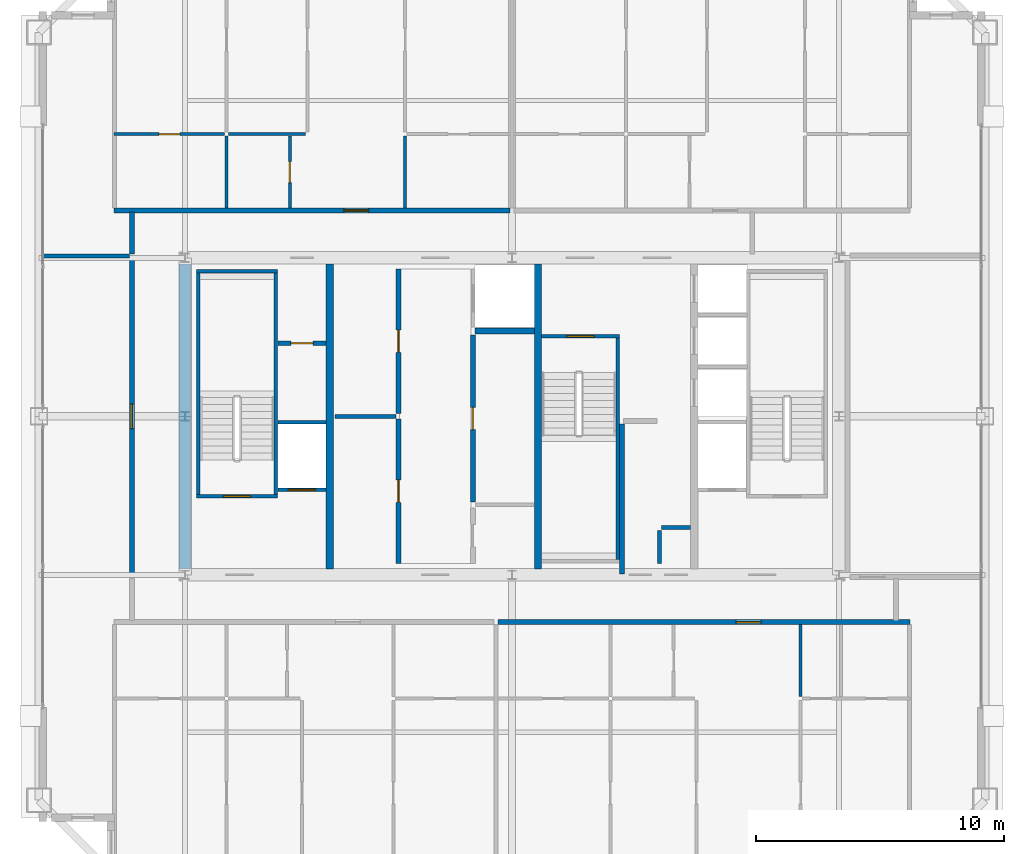
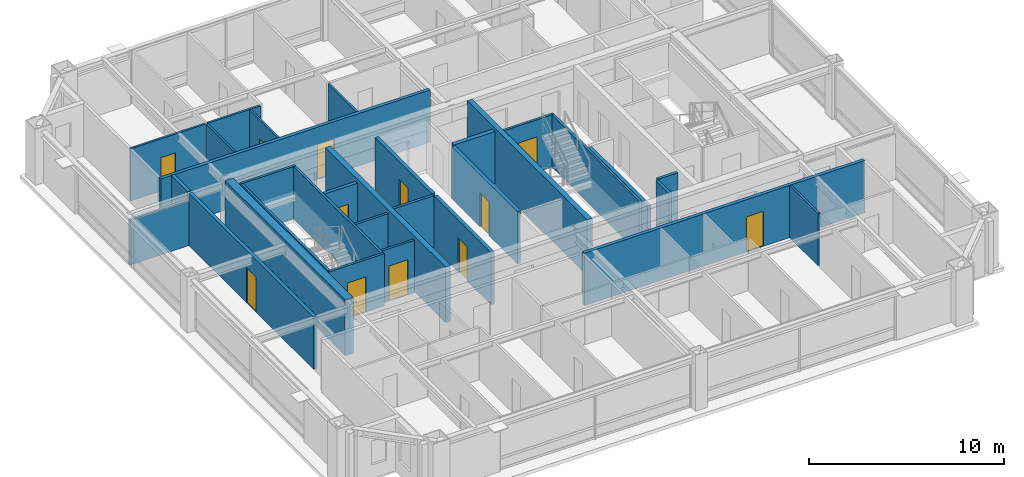
# One storey, part 31 of 35: 31 walls, 12 doors, 12 openings.
"""IFC4 building model written with IfcOpenShell, lengths in metres."""

from ifc_helpers import new_model, si_unit, direction, frame, frame_2d, origin, place, context, subcontext, project, spatial, rectangle, extrude, source, transform, mapped, material, layer, layer_set, type_object, element, fill, save


model = new_model("IFC4")

# Units and contexts
model_context = context("Model", 3, precision=1e-05, world=origin(), true_north=direction((0.0, 1.0)))
body_context = subcontext(model_context, "Body", "Model", "MODEL_VIEW")
ifc_project = project(units=[si_unit("LENGTHUNIT", "METRE"), si_unit("AREAUNIT", "SQUARE_METRE"), si_unit("VOLUMEUNIT", "CUBIC_METRE"), si_unit("PLANEANGLEUNIT", "RADIAN"), si_unit("MASSUNIT", "GRAM", prefix="KILO"), si_unit("THERMODYNAMICTEMPERATUREUNIT", "KELVIN"), si_unit("POWERUNIT", "WATT")], contexts=[model_context])

# Site, building, storey
site_placement = place(None, origin())
site = spatial("IfcSite", under=ifc_project, at=site_placement, CompositionType="ELEMENT")
building_placement = place(site_placement, origin())
building = spatial("IfcBuilding", under=site, at=building_placement, Name="Yuzanri Waterfront Tower", CompositionType="ELEMENT")
storey_placement = place(building_placement, frame((0.0, 0.0, 296.10009765625)))
storey = spatial("IfcBuildingStorey", under=building, at=storey_placement, Name="L79", CompositionType="ELEMENT", Elevation=296.10009765625)

# Wall, opening, door
ifc_material_1 = material(Name="Moisture-Resistant Gypsum Stud Wall", Category="gypsum")
ifc_layer_1 = layer(ifc_material_1, 0.1201171875)
ifc_layer_set_1 = layer_set([ifc_layer_1], Name="Moisture-Resistant Gypsum Stud Wall")
wall_type_1 = type_object("IfcWallType", Name="Bathroom and Kitchen Wet Partition 120", PredefinedType="PARTITIONING", material=ifc_layer_set_1)
wall_1_placement = place(storey_placement, frame((20.93994140625, 37.18994140625, 0.0), z_axis=(0.0, 0.0, 1.0), x_axis=(1.0, 0.0, 0.0)))
wall_1 = element("IfcWall", 1, at=wall_1_placement, inside=storey, type_object=wall_type_1, Name="L79 Partition UW-L79-HN1-SUB-1-N", PredefinedType="PARTITIONING", context=body_context, shape_type="SweptSolid", body=[
    extrude(rectangle(XDim=4.449951171875, YDim=0.1201171875, at=frame_2d((2.22509765625, 0.0))), origin(), (0.0, 0.0, 1.0), 3.27978515625),
])
opening_1_placement = place(wall_1_placement, frame((1.800048828125, 0.0, 0.0)))
opening_1 = element("IfcOpeningElement", 2, at=opening_1_placement, cuts=wall_1, Name="Opening ID-0850", PredefinedType="OPENING", context=body_context, shape_type="SweptSolid", body=[
    extrude(rectangle(XDim=0.85009765625, YDim=2.10009765625, at=frame_2d((0.425048828125, 1.050048828125))), frame((0.0, 0.074951171875, 0.0), z_axis=(0.0, -1.0, 0.0), x_axis=(1.0, 0.0, 0.0)), (0.0, 0.0, 1.0), 0.14990234375),
])
ifc_material_2 = material(Name="Moisture-Resistant Lacquered Timber", Category="wood")
door_type_1 = type_object("IfcDoorType", Name="En-Suite Bathroom and Kitchen Swing Door 850x2100", OperationType="NOTDEFINED", PredefinedType="DOOR", material=ifc_material_2)
shared_shape_1 = source(origin(), body_context, "Body", "SweptSolid", [
    extrude(rectangle(XDim=0.85009765625, YDim=2.10009765625, at=frame_2d((0.425048828125, 1.050048828125))), frame((0.0, 0.02490234375, 0.0), z_axis=(0.0, -1.0, 0.0), x_axis=(1.0, 0.0, 0.0)), (0.0, 0.0, 1.0), 0.050048828125),
])
door_1_placement = place(opening_1_placement, origin())
door_1 = element("IfcDoor", 3, at=door_1_placement, inside=storey, type_object=door_type_1, Name="L79 Suite Interior Room Door", OperationType="SINGLE_SWING_LEFT", OverallHeight=2.10009765625, OverallWidth=0.85009765625, PredefinedType="DOOR", context=body_context, shape_type="MappedRepresentation", body=[
    mapped(shared_shape_1, transform((0.0, 0.0, 0.0), scale=1.0)),
])
fill(opening_1, door_1)

wall_2_placement = place(storey_placement, frame((28.030029296875, 34.2099609375, 0.0), z_axis=(0.0, 0.0, 1.0), x_axis=(0.0, 1.0, 0.0)))
wall_2 = element("IfcWall", 4, at=wall_2_placement, inside=storey, type_object=wall_type_1, Name="L79 Partition UW-L79-HN1-SUB-2-E", PredefinedType="PARTITIONING", context=body_context, shape_type="SweptSolid", body=[
    extrude(rectangle(XDim=2.900146484375, YDim=0.1201171875, at=frame_2d((1.4501953125, 0.0))), origin(), (0.0, 0.0, 1.0), 3.27978515625),
])
opening_2_placement = place(wall_2_placement, frame((1.02490234375, 0.0, 0.0)))
opening_2 = element("IfcOpeningElement", 5, at=opening_2_placement, cuts=wall_2, Name="Opening ID-0850", PredefinedType="OPENING", context=body_context, shape_type="SweptSolid", body=[
    extrude(rectangle(XDim=0.85009765625, YDim=2.10009765625, at=frame_2d((0.425048828125, 1.050048828125))), frame((0.0, 0.074951171875, 0.0), z_axis=(0.0, -1.0, 0.0), x_axis=(1.0, 0.0, 0.0)), (0.0, 0.0, 1.0), 0.14990234375),
])
door_2_placement = place(opening_2_placement, origin())
door_2 = element("IfcDoor", 6, at=door_2_placement, inside=storey, type_object=door_type_1, Name="L79 Suite Interior Room Door", OperationType="SINGLE_SWING_RIGHT", OverallHeight=2.10009765625, OverallWidth=0.85009765625, PredefinedType="DOOR", context=body_context, shape_type="MappedRepresentation", body=[
    mapped(shared_shape_1, transform((0.0, 0.0, 0.0), scale=1.0)),
])
fill(opening_2, door_2)

ifc_material_3 = material(Name="Concrete C40", Category="concrete")
ifc_layer_2 = layer(ifc_material_3, 0.139892578125)
ifc_layer_set_2 = layer_set([ifc_layer_2], Name="Concrete C40")
wall_type_2 = type_object("IfcWallType", Name="Core Stair Liner and Hoistway Shaft Wall 140", PredefinedType="SOLIDWALL", material=ifc_layer_set_2)
wall_3_placement = place(storey_placement, frame((27.56005859375, 22.830078125, 0.0), z_axis=(0.0, 0.0, 1.0), x_axis=(1.0, 0.0, 0.0)))
wall_3 = element("IfcWall", 7, at=wall_3_placement, inside=storey, type_object=wall_type_2, Name="L79 Lift FL-01 Front Shaft Wall", PredefinedType="SOLIDWALL", context=body_context, shape_type="SweptSolid", body=[
    extrude(rectangle(XDim=1.919921875, YDim=0.139892578125, at=frame_2d((0.9599609375, 0.0))), origin(), (0.0, 0.0, 1.0), 3.27978515625),
])
opening_3_placement = place(wall_3_placement, frame((0.409912109375, 0.0, 0.0)))
opening_3 = element("IfcOpeningElement", 8, at=opening_3_placement, cuts=wall_3, Name="Opening LD-FL-01", PredefinedType="OPENING", context=body_context, shape_type="SweptSolid", body=[
    extrude(rectangle(XDim=1.10009765625, YDim=2.199951171875, at=frame_2d((0.550048828125, 1.10009765625))), frame((0.0, 0.0849609375, 0.0), z_axis=(0.0, -1.0, 0.0), x_axis=(1.0, 0.0, 0.0)), (0.0, 0.0, 1.0), 0.169677734375),
])
ifc_material_4 = material(Name="Brushed Bronze and Stainless Steel Cab", Category="steel")
door_type_2 = type_object("IfcDoorType", Name="Center-Parting Bronze Lift Landing Sliding Door 1100x2200", OperationType="NOTDEFINED", PredefinedType="DOOR", material=ifc_material_4)
shared_shape_2 = source(origin(), body_context, "Body", "SweptSolid", [
    extrude(rectangle(XDim=1.10009765625, YDim=2.199951171875, at=frame_2d((0.550048828125, 1.10009765625))), frame((0.0, 0.02490234375, 0.0), z_axis=(0.0, -1.0, 0.0), x_axis=(1.0, 0.0, 0.0)), (0.0, 0.0, 1.0), 0.050048828125),
])
door_3_placement = place(opening_3_placement, origin())
door_3 = element("IfcDoor", 9, at=door_3_placement, inside=storey, type_object=door_type_2, Name="L79 FL-01 Lift Landing Sliding Door", OperationType="SLIDING_TO_LEFT", OverallHeight=2.199951171875, OverallWidth=1.10009765625, PredefinedType="DOOR", context=body_context, shape_type="MappedRepresentation", body=[
    mapped(shared_shape_2, transform((0.0, 0.0, 0.0), scale=1.0)),
])
fill(opening_3, door_3)

wall_4_placement = place(storey_placement, frame((24.260009765625, 22.570068359375, 0.0), z_axis=(0.0, 0.0, 1.0), x_axis=(1.0, 0.0, 0.0)))
wall_4 = element("IfcWall", 10, at=wall_4_placement, inside=storey, type_object=wall_type_2, Name="L79 Shaft Wall STW-L79-ST-01-S", PredefinedType="SOLIDWALL", context=body_context, shape_type="SweptSolid", body=[
    extrude(rectangle(XDim=3.280029296875, YDim=0.139892578125, at=frame_2d((1.64013671875, 0.0))), origin(), (0.0, 0.0, 1.0), 3.27978515625),
])
opening_4_placement = place(wall_4_placement, frame((1.090087890625, 0.0, 0.0)))
opening_4 = element("IfcOpeningElement", 11, at=opening_4_placement, cuts=wall_4, Name="Opening FD-1100", PredefinedType="OPENING", context=body_context, shape_type="SweptSolid", body=[
    extrude(rectangle(XDim=1.10009765625, YDim=2.199951171875, at=frame_2d((0.550048828125, 1.10009765625))), frame((0.0, 0.0849609375, 0.0), z_axis=(0.0, -1.0, 0.0), x_axis=(1.0, 0.0, 0.0)), (0.0, 0.0, 1.0), 0.169677734375),
])
ifc_material_5 = material(Name="Painted Galvanized Fire Steel", Category="steel")
door_type_3 = type_object("IfcDoorType", Name="Smoke-Proof Stair and Lobby Fire Door 1100x2200", OperationType="NOTDEFINED", PredefinedType="DOOR", material=ifc_material_5)
shared_shape_3 = source(origin(), body_context, "Body", "SweptSolid", [
    extrude(rectangle(XDim=1.10009765625, YDim=2.199951171875, at=frame_2d((0.550048828125, 1.10009765625))), frame((0.0, 0.02490234375, 0.0), z_axis=(0.0, -1.0, 0.0), x_axis=(1.0, 0.0, 0.0)), (0.0, 0.0, 1.0), 0.050048828125),
])
door_4_placement = place(opening_4_placement, origin())
door_4 = element("IfcDoor", 12, at=door_4_placement, inside=storey, type_object=door_type_3, Name="L79 Stair ST-01 Fire Door", OperationType="SINGLE_SWING_RIGHT", OverallHeight=2.199951171875, OverallWidth=1.10009765625, PredefinedType="DOOR", context=body_context, shape_type="MappedRepresentation", body=[
    mapped(shared_shape_3, transform((0.0, 0.0, 0.0), scale=1.0)),
])
fill(opening_4, door_4)

wall_5_placement = place(storey_placement, frame((38.199951171875, 29.030029296875, 0.0), z_axis=(0.0, 0.0, 1.0), x_axis=(1.0, 0.0, 0.0)))
wall_5 = element("IfcWall", 13, at=wall_5_placement, inside=storey, type_object=wall_type_2, Name="L79 Shaft Wall STW-L79-ST-03-N", PredefinedType="SOLIDWALL", context=body_context, shape_type="SweptSolid", body=[
    extrude(rectangle(XDim=3.14013671875, YDim=0.139892578125, at=frame_2d((1.570068359375, 0.0))), origin(), (0.0, 0.0, 1.0), 3.27978515625),
])
opening_5_placement = place(wall_5_placement, frame((1.02001953125, 0.0, 0.0)))
opening_5 = element("IfcOpeningElement", 14, at=opening_5_placement, cuts=wall_5, Name="Opening FD-1100", PredefinedType="OPENING", context=body_context, shape_type="SweptSolid", body=[
    extrude(rectangle(XDim=1.10009765625, YDim=2.199951171875, at=frame_2d((0.550048828125, 1.10009765625))), frame((0.0, 0.0849609375, 0.0), z_axis=(0.0, -1.0, 0.0), x_axis=(1.0, 0.0, 0.0)), (0.0, 0.0, 1.0), 0.169677734375),
])
door_5_placement = place(opening_5_placement, origin())
door_5 = element("IfcDoor", 15, at=door_5_placement, inside=storey, type_object=door_type_3, Name="L79 Stair ST-03 Fire Door", OperationType="SINGLE_SWING_RIGHT", OverallHeight=2.199951171875, OverallWidth=1.10009765625, PredefinedType="DOOR", context=body_context, shape_type="MappedRepresentation", body=[
    mapped(shared_shape_3, transform((0.0, 0.0, 0.0), scale=1.0)),
])
fill(opening_5, door_5)

ifc_material_6 = material(Name="Autoclaved Aerated Concrete Blockwork", Category="masonry")
ifc_layer_3 = layer(ifc_material_6, 0.199951171875)
ifc_layer_set_3 = layer_set([ifc_layer_3], Name="Autoclaved Aerated Concrete Blockwork")
wall_type_3 = type_object("IfcWallType", Name="Corridor and Unit Party Fire Wall 200", PredefinedType="PARTITIONING", material=ifc_layer_set_3)
wall_6_placement = place(storey_placement, frame((27.56005859375, 28.75, 0.0), z_axis=(0.0, 0.0, 1.0), x_axis=(1.0, 0.0, 0.0)))
wall_6 = element("IfcWall", 16, at=wall_6_placement, inside=storey, type_object=wall_type_3, Name="L79 Partition CRW-L79-ERTR", PredefinedType="PARTITIONING", context=body_context, shape_type="SweptSolid", body=[
    extrude(rectangle(XDim=1.919921875, YDim=0.199951171875, at=frame_2d((0.9599609375, 0.0))), origin(), (0.0, 0.0, 1.0), 3.27978515625),
])
opening_6_placement = place(wall_6_placement, frame((0.510009765625, 0.0, 0.0)))
opening_6 = element("IfcOpeningElement", 17, at=opening_6_placement, cuts=wall_6, Name="Opening FD-0900", PredefinedType="OPENING", context=body_context, shape_type="SweptSolid", body=[
    extrude(rectangle(XDim=0.89990234375, YDim=2.14990234375, at=frame_2d((0.449951171875, 1.074951171875))), frame((0.0, 0.11474609375, 0.0), z_axis=(0.0, -1.0, 0.0), x_axis=(1.0, 0.0, 0.0)), (0.0, 0.0, 1.0), 0.229736328125),
])
ifc_material_7 = material(Name="Painted Galvanized Fire Steel", Category="steel")
door_type_4 = type_object("IfcDoorType", Name="Riser and Service Room Fire Door 900x2150", OperationType="NOTDEFINED", PredefinedType="DOOR", material=ifc_material_7)
shared_shape_4 = source(origin(), body_context, "Body", "SweptSolid", [
    extrude(rectangle(XDim=0.89990234375, YDim=2.14990234375, at=frame_2d((0.449951171875, 1.074951171875))), frame((0.0, 0.02490234375, 0.0), z_axis=(0.0, -1.0, 0.0), x_axis=(1.0, 0.0, 0.0)), (0.0, 0.0, 1.0), 0.050048828125),
])
door_6_placement = place(opening_6_placement, origin())
door_6 = element("IfcDoor", 18, at=door_6_placement, inside=storey, type_object=door_type_4, Name="L79 Electrical Riser Door", OperationType="SINGLE_SWING_RIGHT", OverallHeight=2.14990234375, OverallWidth=0.89990234375, PredefinedType="DOOR", context=body_context, shape_type="MappedRepresentation", body=[
    mapped(shared_shape_4, transform((0.0, 0.0, 0.0), scale=1.0)),
])
fill(opening_6, door_6)

wall_7_placement = place(storey_placement, frame((32.419921875, 19.860107421875, 0.0), z_axis=(0.0, 0.0, 1.0), x_axis=(0.0, 1.0, 0.0)))
wall_7 = element("IfcWall", 19, at=wall_7_placement, inside=storey, type_object=wall_type_3, Name="L79 Partition CRW-L79-B1R-1", PredefinedType="PARTITIONING", context=body_context, shape_type="SweptSolid", body=[
    extrude(rectangle(XDim=5.83984375, YDim=0.199951171875, at=frame_2d((2.919921875, 0.0))), origin(), (0.0, 0.0, 1.0), 3.27978515625),
])
opening_7_placement = place(wall_7_placement, frame((2.469970703125, 0.0, 0.0)))
opening_7 = element("IfcOpeningElement", 20, at=opening_7_placement, cuts=wall_7, Name="Opening FD-0900", PredefinedType="OPENING", context=body_context, shape_type="SweptSolid", body=[
    extrude(rectangle(XDim=0.89990234375, YDim=2.14990234375, at=frame_2d((0.449951171875, 1.074951171875))), frame((0.0, 0.11474609375, 0.0), z_axis=(0.0, -1.0, 0.0), x_axis=(1.0, 0.0, 0.0)), (0.0, 0.0, 1.0), 0.229736328125),
])
door_7_placement = place(opening_7_placement, origin())
door_7 = element("IfcDoor", 21, at=door_7_placement, inside=storey, type_object=door_type_4, Name="L79 South Private Store Room", OperationType="SINGLE_SWING_LEFT", OverallHeight=2.14990234375, OverallWidth=0.89990234375, PredefinedType="DOOR", context=body_context, shape_type="MappedRepresentation", body=[
    mapped(shared_shape_4, transform((0.0, 0.0, 0.0), scale=1.0)),
])
fill(opening_7, door_7)

wall_8_placement = place(storey_placement, frame((32.419921875, 25.919921875, 0.0), z_axis=(0.0, 0.0, 1.0), x_axis=(0.0, 1.0, 0.0)))
wall_8 = element("IfcWall", 22, at=wall_8_placement, inside=storey, type_object=wall_type_3, Name="L79 Partition CRW-L79-B1R-2", PredefinedType="PARTITIONING", context=body_context, shape_type="SweptSolid", body=[
    extrude(rectangle(XDim=5.820068359375, YDim=0.199951171875, at=frame_2d((2.91015625, 0.0))), origin(), (0.0, 0.0, 1.0), 3.27978515625),
])
opening_8_placement = place(wall_8_placement, frame((2.4599609375, 0.0, 0.0)))
opening_8 = element("IfcOpeningElement", 23, at=opening_8_placement, cuts=wall_8, Name="Opening FD-0900", PredefinedType="OPENING", context=body_context, shape_type="SweptSolid", body=[
    extrude(rectangle(XDim=0.89990234375, YDim=2.14990234375, at=frame_2d((0.449951171875, 1.074951171875))), frame((0.0, 0.11474609375, 0.0), z_axis=(0.0, -1.0, 0.0), x_axis=(1.0, 0.0, 0.0)), (0.0, 0.0, 1.0), 0.229736328125),
])
door_8_placement = place(opening_8_placement, origin())
door_8 = element("IfcDoor", 24, at=door_8_placement, inside=storey, type_object=door_type_4, Name="L79 North Private Store Room", OperationType="SINGLE_SWING_RIGHT", OverallHeight=2.14990234375, OverallWidth=0.89990234375, PredefinedType="DOOR", context=body_context, shape_type="MappedRepresentation", body=[
    mapped(shared_shape_4, transform((0.0, 0.0, 0.0), scale=1.0)),
])
fill(opening_8, door_8)

wall_9_placement = place(storey_placement, frame((35.419921875, 22.35009765625, 0.0), z_axis=(0.0, 0.0, 1.0), x_axis=(0.0, 1.0, 0.0)))
wall_9 = element("IfcWall", 25, at=wall_9_placement, inside=storey, type_object=wall_type_3, Name="L79 Partition CRW-L79-B2R-2", PredefinedType="PARTITIONING", context=body_context, shape_type="SweptSolid", body=[
    extrude(rectangle(XDim=6.72998046875, YDim=0.199951171875, at=frame_2d((3.364990234375, 0.0))), origin(), (0.0, 0.0, 1.0), 3.27978515625),
])
opening_9_placement = place(wall_9_placement, frame((2.9150390625, 0.0, 0.0)))
opening_9 = element("IfcOpeningElement", 26, at=opening_9_placement, cuts=wall_9, Name="Opening FD-0900", PredefinedType="OPENING", context=body_context, shape_type="SweptSolid", body=[
    extrude(rectangle(XDim=0.89990234375, YDim=2.14990234375, at=frame_2d((0.449951171875, 1.074951171875))), frame((0.0, 0.11474609375, 0.0), z_axis=(0.0, -1.0, 0.0), x_axis=(1.0, 0.0, 0.0)), (0.0, 0.0, 1.0), 0.229736328125),
])
door_9_placement = place(opening_9_placement, origin())
door_9 = element("IfcDoor", 27, at=door_9_placement, inside=storey, type_object=door_type_4, Name="L79 Upper Linen Store Room", OperationType="SINGLE_SWING_RIGHT", OverallHeight=2.14990234375, OverallWidth=0.89990234375, PredefinedType="DOOR", context=body_context, shape_type="MappedRepresentation", body=[
    mapped(shared_shape_4, transform((0.0, 0.0, 0.0), scale=1.0)),
])
fill(opening_9, door_9)

wall_10_placement = place(storey_placement, frame((36.43798828125, 17.489990234375, 0.0), z_axis=(0.0, 0.0, 1.0), x_axis=(1.0, 0.0, 0.0)))
wall_10 = element("IfcWall", 28, at=wall_10_placement, inside=storey, type_object=wall_type_3, Name="L79 Partition UW-L79-HS2-CN", PredefinedType="PARTITIONING", context=body_context, shape_type="SweptSolid", body=[
    extrude(rectangle(XDim=16.6220703125, YDim=0.199951171875, at=frame_2d((8.31103515625, 0.0))), origin(), (0.0, 0.0, 1.0), 3.27978515625),
])
opening_10_placement = place(wall_10_placement, frame((9.611083984375, 0.0, 0.0)))
opening_10 = element("IfcOpeningElement", 29, at=opening_10_placement, cuts=wall_10, Name="Opening FD-1000", PredefinedType="OPENING", context=body_context, shape_type="SweptSolid", body=[
    extrude(rectangle(XDim=1.0, YDim=2.199951171875, at=frame_2d((0.5, 1.10009765625))), frame((0.0, 0.11474609375, 0.0), z_axis=(0.0, -1.0, 0.0), x_axis=(1.0, 0.0, 0.0)), (0.0, 0.0, 1.0), 0.229736328125),
])
ifc_material_8 = material(Name="Engineered Oak Fire-Rated Timber", Category="wood")
door_type_5 = type_object("IfcDoorType", Name="Guestroom and Apartment Entrance Fire Door 1000x2200", OperationType="NOTDEFINED", PredefinedType="DOOR", material=ifc_material_8)
shared_shape_5 = source(origin(), body_context, "Body", "SweptSolid", [
    extrude(rectangle(XDim=1.0, YDim=2.199951171875, at=frame_2d((0.5, 1.10009765625))), frame((0.0, 0.02490234375, 0.0), z_axis=(0.0, -1.0, 0.0), x_axis=(1.0, 0.0, 0.0)), (0.0, 0.0, 1.0), 0.050048828125),
])
door_10_placement = place(opening_10_placement, origin())
door_10 = element("IfcDoor", 30, at=door_10_placement, inside=storey, type_object=door_type_5, Name="L79 Apartment Living and Dining Salon Entrance Door", OperationType="SINGLE_SWING_RIGHT", OverallHeight=2.199951171875, OverallWidth=1.0, PredefinedType="DOOR", context=body_context, shape_type="MappedRepresentation", body=[
    mapped(shared_shape_5, transform((0.0, 0.0, 0.0), scale=1.0)),
])
fill(opening_10, door_10)

wall_11_placement = place(storey_placement, frame((20.93994140625, 34.110107421875, 0.0), z_axis=(0.0, 0.0, 1.0), x_axis=(1.0, 0.0, 0.0)))
wall_11 = element("IfcWall", 31, at=wall_11_placement, inside=storey, type_object=wall_type_3, Name="L79 Partition UW-L79-HN1-CS", PredefinedType="PARTITIONING", context=body_context, shape_type="SweptSolid", body=[
    extrude(rectangle(XDim=15.97998046875, YDim=0.199951171875, at=frame_2d((7.989990234375, 0.0))), origin(), (0.0, 0.0, 1.0), 3.27978515625),
])
opening_11_placement = place(wall_11_placement, frame((9.26904296875, 0.0, 0.0)))
opening_11 = element("IfcOpeningElement", 32, at=opening_11_placement, cuts=wall_11, Name="Opening FD-1000", PredefinedType="OPENING", context=body_context, shape_type="SweptSolid", body=[
    extrude(rectangle(XDim=1.0, YDim=2.199951171875, at=frame_2d((0.5, 1.10009765625))), frame((0.0, 0.11474609375, 0.0), z_axis=(0.0, -1.0, 0.0), x_axis=(1.0, 0.0, 0.0)), (0.0, 0.0, 1.0), 0.229736328125),
])
door_11_placement = place(opening_11_placement, origin())
door_11 = element("IfcDoor", 33, at=door_11_placement, inside=storey, type_object=door_type_5, Name="L79 Apartment Living and Dining Salon Entrance Door", OperationType="SINGLE_SWING_RIGHT", OverallHeight=2.199951171875, OverallWidth=1.0, PredefinedType="DOOR", context=body_context, shape_type="MappedRepresentation", body=[
    mapped(shared_shape_5, transform((0.0, 0.0, 0.0), scale=1.0)),
])
fill(opening_11, door_11)

wall_12_placement = place(storey_placement, frame((21.64990234375, 19.409912109375, 0.0), z_axis=(0.0, 0.0, 1.0), x_axis=(0.0, 1.0, 0.0)))
wall_12 = element("IfcWall", 34, at=wall_12_placement, inside=storey, type_object=wall_type_3, Name="L79 Partition UW-L79-049-CW", PredefinedType="PARTITIONING", context=body_context, shape_type="SweptSolid", body=[
    extrude(rectangle(XDim=12.780029296875, YDim=0.199951171875, at=frame_2d((6.39013671875, 0.0))), origin(), (0.0, 0.0, 1.0), 3.27978515625),
])
opening_12_placement = place(wall_12_placement, frame((5.889892578125, 0.0, 0.0)))
opening_12 = element("IfcOpeningElement", 35, at=opening_12_placement, cuts=wall_12, Name="Opening FD-1000", PredefinedType="OPENING", context=body_context, shape_type="SweptSolid", body=[
    extrude(rectangle(XDim=1.0, YDim=2.199951171875, at=frame_2d((0.5, 1.10009765625))), frame((0.0, 0.11474609375, 0.0), z_axis=(0.0, -1.0, 0.0), x_axis=(1.0, 0.0, 0.0)), (0.0, 0.0, 1.0), 0.229736328125),
])
door_12_placement = place(opening_12_placement, origin())
door_12 = element("IfcDoor", 36, at=door_12_placement, inside=storey, type_object=door_type_5, Name="L79 High-Rise W Wellness Gym Studio Entrance Door", OperationType="SINGLE_SWING_RIGHT", OverallHeight=2.199951171875, OverallWidth=1.0, PredefinedType="DOOR", context=body_context, shape_type="MappedRepresentation", body=[
    mapped(shared_shape_5, transform((0.0, 0.0, 0.0), scale=1.0)),
])
fill(opening_12, door_12)

# Walls
ifc_material_9 = material(Name="Concrete C45", Category="concrete")
ifc_layer_4 = layer(ifc_material_9, 0.47998046875)
ifc_layer_set_4 = layer_set([ifc_layer_4], Name="Concrete C45")
wall_type_4 = type_object("IfcWallType", Name="Concrete C45 High-Rise Core Shear Wall 480", PredefinedType="SHEAR", material=ifc_layer_set_4)
shared_shape_6 = source(origin(), body_context, "Body", "SweptSolid", [
    extrude(rectangle(XDim=12.320068359375, YDim=0.47998046875, at=frame_2d((6.16015625, 0.0))), origin(), (0.0, 0.0, 1.0), 3.5),
])
wall_13_placement = place(storey_placement, frame((23.800048828125, 19.639892578125, 0.0), z_axis=(0.0, 0.0, 1.0), x_axis=(0.0, 1.0, 0.0)))
element("IfcWall", 37, at=wall_13_placement, inside=storey, type_object=wall_type_4, Name="L79 Core West Shear Wall", PredefinedType="SHEAR", context=body_context, shape_type="MappedRepresentation", body=[
    mapped(shared_shape_6, transform((0.0, 0.0, 0.0), scale=1.0)),
])
ifc_material_10 = material(Name="Concrete C50", Category="concrete")
ifc_layer_5 = layer(ifc_material_10, 0.300048828125)
ifc_layer_set_5 = layer_set([ifc_layer_5], Name="Concrete C50")
wall_type_5 = type_object("IfcWallType", Name="Concrete C50 Internal Core Shaft Structural Wall 300", PredefinedType="SOLIDWALL", material=ifc_layer_set_5)
shared_shape_7 = source(origin(), body_context, "Body", "SweptSolid", [
    extrude(rectangle(XDim=12.320068359375, YDim=0.300048828125, at=frame_2d((6.16015625, 0.0))), origin(), (0.0, 0.0, 1.0), 3.5),
])
for number, where, z_axis, x_axis, name in (
    (38, (29.64990234375, 19.639892578125, 0.0), (0.0, 0.0, 1.0), (0.0, 1.0, 0.0), "L79 Core Internal Structural Web Wall 1"),
    (39, (38.050048828125, 19.639892578125, 0.0), (0.0, 0.0, 1.0), (0.0, 1.0, 0.0), "L79 Core Internal Structural Web Wall 2"),
):
    element("IfcWall", number, at=place(storey_placement, frame(where, z_axis=z_axis, x_axis=x_axis)), inside=storey, type_object=wall_type_5, Name=name, PredefinedType="SOLIDWALL", context=body_context, shape_type="MappedRepresentation", body=[
        mapped(shared_shape_7, transform((0.0, 0.0, 0.0), scale=1.0)),
    ])
shared_shape_8 = source(origin(), body_context, "Body", "SweptSolid", [
    extrude(rectangle(XDim=1.919921875, YDim=0.139892578125, at=frame_2d((0.9599609375, 0.0))), origin(), (0.0, 0.0, 1.0), 3.27978515625),
])
wall_14_placement = place(storey_placement, frame((27.56005859375, 25.570068359375, 0.0), z_axis=(0.0, 0.0, 1.0), x_axis=(1.0, 0.0, 0.0)))
element("IfcWall", 40, at=wall_14_placement, inside=storey, type_object=wall_type_2, Name="L79 Lift FL-01 Back Shaft Wall", PredefinedType="SOLIDWALL", context=body_context, shape_type="MappedRepresentation", body=[
    mapped(shared_shape_8, transform((0.0, 0.0, 0.0), scale=1.0)),
])
ifc_material_11 = material(Name="Concrete C40", Category="concrete")
ifc_layer_6 = layer(ifc_material_11, 0.25)
ifc_layer_set_6 = layer_set([ifc_layer_6], Name="Concrete C40")
wall_type_6 = type_object("IfcWallType", Name="Smoke-Proof Stair and Lift Shaft Wall 250", PredefinedType="SOLIDWALL", material=ifc_layer_set_6)
shared_shape_9 = source(origin(), body_context, "Body", "SweptSolid", [
    extrude(rectangle(XDim=2.39990234375, YDim=0.25, at=frame_2d((1.199951171875, 0.0))), origin(), (0.0, 0.0, 1.0), 3.27978515625),
])
wall_15_placement = place(storey_placement, frame((35.5, 29.25, 0.0), z_axis=(0.0, 0.0, 1.0), x_axis=(1.0, 0.0, 0.0)))
element("IfcWall", 41, at=wall_15_placement, inside=storey, type_object=wall_type_6, Name="L79 Lift SL-02 South Shaft Wall", PredefinedType="SOLIDWALL", context=body_context, shape_type="MappedRepresentation", body=[
    mapped(shared_shape_9, transform((0.0, 0.0, 0.0), scale=1.0)),
])
shared_shape_10 = source(origin(), body_context, "Body", "SweptSolid", [
    extrude(rectangle(XDim=3.280029296875, YDim=0.139892578125, at=frame_2d((1.64013671875, 0.0))), origin(), (0.0, 0.0, 1.0), 3.27978515625),
])
wall_16_placement = place(storey_placement, frame((24.260009765625, 31.64990234375, 0.0), z_axis=(0.0, 0.0, 1.0), x_axis=(1.0, 0.0, 0.0)))
element("IfcWall", 42, at=wall_16_placement, inside=storey, type_object=wall_type_2, Name="L79 Stair ST-01 North Shaft Wall", PredefinedType="SOLIDWALL", context=body_context, shape_type="MappedRepresentation", body=[
    mapped(shared_shape_10, transform((0.0, 0.0, 0.0), scale=1.0)),
])
shared_shape_11 = source(origin(), body_context, "Body", "SweptSolid", [
    extrude(rectangle(XDim=8.940185546875, YDim=0.139892578125, at=frame_2d((4.47021484375, 0.0))), origin(), (0.0, 0.0, 1.0), 3.27978515625),
])
for number, where, z_axis, x_axis, name in (
    (43, (24.330078125, 22.639892578125, 0.0), (0.0, 0.0, 1.0), (0.0, 1.0, 0.0), "L79 Stair ST-01 West Shaft Wall"),
    (44, (27.469970703125, 22.639892578125, 0.0), (0.0, 0.0, 1.0), (0.0, 1.0, 0.0), "L79 Stair ST-01 East Shaft Wall"),
):
    element("IfcWall", number, at=place(storey_placement, frame(where, z_axis=z_axis, x_axis=x_axis)), inside=storey, type_object=wall_type_2, Name=name, PredefinedType="SOLIDWALL", context=body_context, shape_type="MappedRepresentation", body=[
        mapped(shared_shape_11, transform((0.0, 0.0, 0.0), scale=1.0)),
    ])
shared_shape_12 = source(origin(), body_context, "Body", "SweptSolid", [
    extrude(rectangle(XDim=8.93994140625, YDim=0.139892578125, at=frame_2d((4.469970703125, 0.0))), origin(), (0.0, 0.0, 1.0), 3.27978515625),
])
wall_17_placement = place(storey_placement, frame((41.27001953125, 20.02001953125, 0.0), z_axis=(0.0, 0.0, 1.0), x_axis=(0.0, 1.0, 0.0)))
element("IfcWall", 45, at=wall_17_placement, inside=storey, type_object=wall_type_2, Name="L79 Stair ST-03 East Shaft Wall", PredefinedType="SOLIDWALL", context=body_context, shape_type="MappedRepresentation", body=[
    mapped(shared_shape_12, transform((0.0, 0.0, 0.0), scale=1.0)),
])
ifc_material_12 = material(Name="Gypsum Fireboard Acoustic Stud Wall", Category="gypsum")
ifc_layer_7 = layer(ifc_material_12, 0.159912109375)
ifc_layer_set_7 = layer_set([ifc_layer_7], Name="Gypsum Fireboard Acoustic Stud Wall")
wall_type_7 = type_object("IfcWallType", Name="Acoustic Suite Demising Partition 160", PredefinedType="PARTITIONING", material=ifc_layer_set_7)
shared_shape_13 = source(origin(), body_context, "Body", "SweptSolid", [
    extrude(rectangle(XDim=2.469970703125, YDim=0.159912109375, at=frame_2d((1.23486328125, 0.0))), origin(), (0.0, 0.0, 1.0), 3.27978515625),
])
wall_18_placement = place(storey_placement, frame((29.85009765625, 25.800048828125, 0.0), z_axis=(0.0, 0.0, 1.0), x_axis=(1.0, 0.0, 0.0)))
element("IfcWall", 46, at=wall_18_placement, inside=storey, type_object=wall_type_7, Name="L79 Reclaimed Core Divider 2", PredefinedType="PARTITIONING", context=body_context, shape_type="MappedRepresentation", body=[
    mapped(shared_shape_13, transform((0.0, 0.0, 0.0), scale=1.0)),
])
shared_shape_14 = source(origin(), body_context, "Body", "SweptSolid", [
    extrude(rectangle(XDim=1.33984375, YDim=0.159912109375, at=frame_2d((0.669921875, 0.0))), origin(), (0.0, 0.0, 1.0), 3.27978515625),
])
wall_19_placement = place(storey_placement, frame((42.949951171875, 19.860107421875, 0.0), z_axis=(0.0, 0.0, 1.0), x_axis=(0.0, 1.0, 0.0)))
element("IfcWall", 47, at=wall_19_placement, inside=storey, type_object=wall_type_7, Name="L79 East Wet Riser West Wall", PredefinedType="PARTITIONING", context=body_context, shape_type="MappedRepresentation", body=[
    mapped(shared_shape_14, transform((0.0, 0.0, 0.0), scale=1.0)),
])
shared_shape_15 = source(origin(), body_context, "Body", "SweptSolid", [
    extrude(rectangle(XDim=1.169921875, YDim=0.159912109375, at=frame_2d((0.5849609375, 0.0))), origin(), (0.0, 0.0, 1.0), 3.27978515625),
])
wall_20_placement = place(storey_placement, frame((43.030029296875, 21.320068359375, 0.0), z_axis=(0.0, 0.0, 1.0), x_axis=(1.0, 0.0, 0.0)))
element("IfcWall", 48, at=wall_20_placement, inside=storey, type_object=wall_type_7, Name="L79 East Wet Riser North Wall", PredefinedType="PARTITIONING", context=body_context, shape_type="MappedRepresentation", body=[
    mapped(shared_shape_15, transform((0.0, 0.0, 0.0), scale=1.0)),
])
shared_shape_16 = source(origin(), body_context, "Body", "SweptSolid", [
    extrude(rectangle(XDim=6.06005859375, YDim=0.199951171875, at=frame_2d((3.030029296875, 0.0))), origin(), (0.0, 0.0, 1.0), 3.27978515625),
])
wall_21_placement = place(storey_placement, frame((41.449951171875, 19.43994140625, 0.0), z_axis=(0.0, 0.0, 1.0), x_axis=(0.0, 1.0, 0.0)))
element("IfcWall", 49, at=wall_21_placement, inside=storey, type_object=wall_type_3, Name="L79 Core BOH West Wall 1", PredefinedType="PARTITIONING", context=body_context, shape_type="MappedRepresentation", body=[
    mapped(shared_shape_16, transform((0.0, 0.0, 0.0), scale=1.0)),
])
shared_shape_17 = source(origin(), body_context, "Body", "SweptSolid", [
    extrude(rectangle(XDim=1.699951171875, YDim=0.199951171875, at=frame_2d((0.85009765625, 0.0))), origin(), (0.0, 0.0, 1.0), 3.27978515625),
])
wall_22_placement = place(storey_placement, frame((21.64990234375, 32.35009765625, 0.0), z_axis=(0.0, 0.0, 1.0), x_axis=(0.0, 1.0, 0.0)))
element("IfcWall", 50, at=wall_22_placement, inside=storey, type_object=wall_type_3, Name="L79 North Foyer West End Wall", PredefinedType="PARTITIONING", context=body_context, shape_type="MappedRepresentation", body=[
    mapped(shared_shape_17, transform((0.0, 0.0, 0.0), scale=1.0)),
])
shared_shape_18 = source(origin(), body_context, "Body", "SweptSolid", [
    extrude(rectangle(XDim=2.89990234375, YDim=0.1201171875, at=frame_2d((1.449951171875, 0.0))), origin(), (0.0, 0.0, 1.0), 3.27978515625),
])
wall_23_placement = place(storey_placement, frame((48.657958984375, 14.489990234375, 0.0), z_axis=(0.0, 0.0, 1.0), x_axis=(0.0, 1.0, 0.0)))
element("IfcWall", 51, at=wall_23_placement, inside=storey, type_object=wall_type_1, Name="L79 Partition UW-L79-HS2-SUB-4-W", PredefinedType="PARTITIONING", context=body_context, shape_type="MappedRepresentation", body=[
    mapped(shared_shape_18, transform((0.0, 0.0, 0.0), scale=1.0)),
])
shared_shape_19 = source(origin(), body_context, "Body", "SweptSolid", [
    extrude(rectangle(XDim=2.900146484375, YDim=0.1201171875, at=frame_2d((1.4501953125, 0.0))), origin(), (0.0, 0.0, 1.0), 3.27978515625),
])
for number, where, z_axis, x_axis, name in (
    (52, (25.469970703125, 34.2099609375, 0.0), (0.0, 0.0, 1.0), (0.0, 1.0, 0.0), "L79 Partition UW-L79-HN1-SUB-1-E"),
    (53, (32.68505859375, 34.2099609375, 0.0), (0.0, 0.0, 1.0), (0.0, 1.0, 0.0), "L79 Partition UW-L79-HN1-SUB-3-W"),
):
    element("IfcWall", number, at=place(storey_placement, frame(where, z_axis=z_axis, x_axis=x_axis)), inside=storey, type_object=wall_type_1, Name=name, PredefinedType="PARTITIONING", context=body_context, shape_type="MappedRepresentation", body=[
        mapped(shared_shape_19, transform((0.0, 0.0, 0.0), scale=1.0)),
    ])
shared_shape_20 = source(origin(), body_context, "Body", "SweptSolid", [
    extrude(rectangle(XDim=3.5, YDim=0.159912109375, at=frame_2d((1.75, 0.0))), origin(), (0.0, 0.0, 1.0), 2.824951171875),
])
wall_24_placement = place(storey_placement, frame((18.050048828125, 32.27001953125, 0.0), z_axis=(0.0, 0.0, 1.0), x_axis=(1.0, 0.0, 0.0)))
element("IfcWall", 54, at=wall_24_placement, inside=storey, type_object=wall_type_7, Name="L79-049 Wing North End Wall", PredefinedType="PARTITIONING", context=body_context, shape_type="MappedRepresentation", body=[
    mapped(shared_shape_20, transform((0.0, 0.0, 0.0), scale=1.0)),
])
shared_shape_21 = source(origin(), body_context, "Body", "SweptSolid", [
    extrude(rectangle(XDim=3.10400390625, YDim=0.1201171875, at=frame_2d((1.552001953125, 0.0))), origin(), (0.0, 0.0, 1.0), 3.27978515625),
])
wall_25_placement = place(storey_placement, frame((25.550048828125, 37.18994140625, 0.0), z_axis=(0.0, 0.0, 1.0), x_axis=(1.0, 0.0, 0.0)))
element("IfcWall", 55, at=wall_25_placement, inside=storey, type_object=wall_type_1, Name="L79 Partition UW-L79-HN1-SUB-6-S", PredefinedType="PARTITIONING", context=body_context, shape_type="MappedRepresentation", body=[
    mapped(shared_shape_21, transform((0.0, 0.0, 0.0), scale=1.0)),
])

save(model, "model.ifc")
